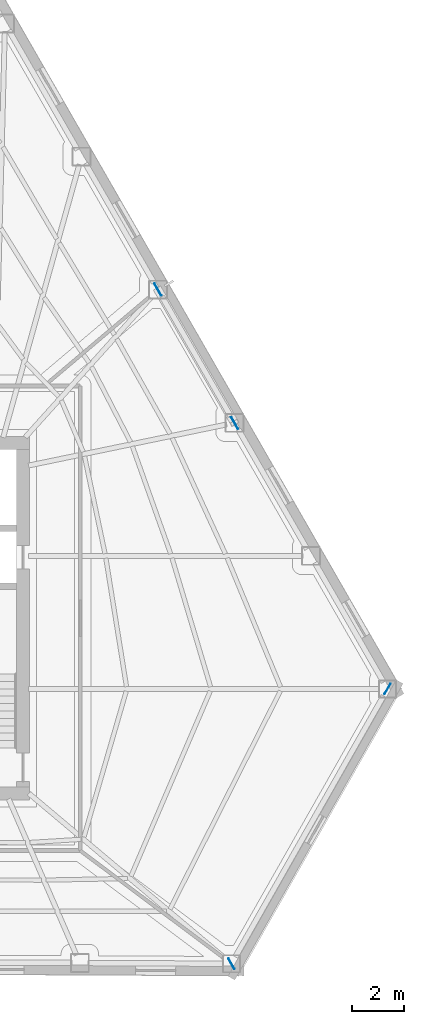
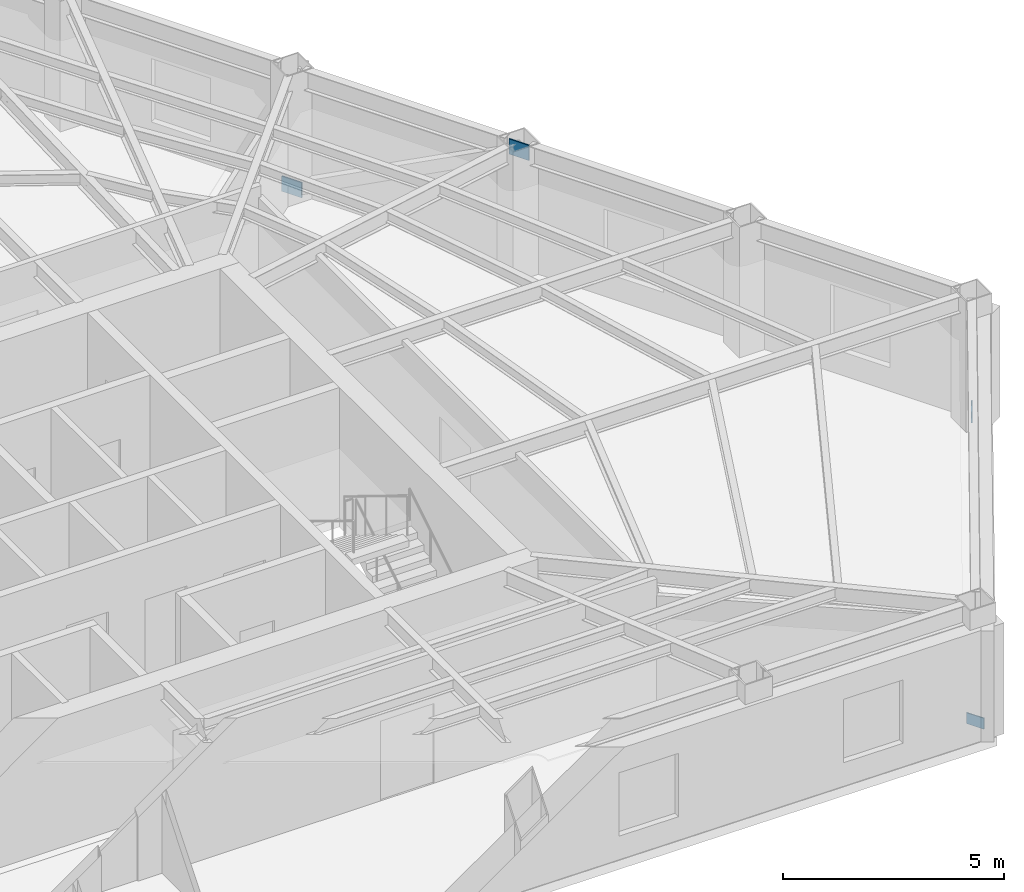
# One storey, part 5 of 12: 4 plates.
"""IFC4 building model written with IfcOpenShell, lengths in metres."""

from ifc_helpers import new_model, si_unit, direction, frame, origin, origin_2d, place, context, subcontext, project, spatial, rectangle, extrude, material, layer, layer_set, type_object, element, save


model = new_model("IFC4")

# Units and contexts
model_context = context("Model", 3, precision=1e-05, world=origin(), true_north=direction((0.0, 1.0)))
body_context = subcontext(model_context, "Body", "Model", "MODEL_VIEW")
ifc_project = project(units=[si_unit("LENGTHUNIT", "METRE"), si_unit("AREAUNIT", "SQUARE_METRE"), si_unit("VOLUMEUNIT", "CUBIC_METRE"), si_unit("PLANEANGLEUNIT", "RADIAN"), si_unit("MASSUNIT", "GRAM", prefix="KILO")], contexts=[model_context])

# Site, building, storey
site_placement = place(None, origin())
site = spatial("IfcSite", under=ifc_project, at=site_placement, CompositionType="ELEMENT")
building_placement = place(site_placement, origin())
building = spatial("IfcBuilding", under=site, at=building_placement, Name="Kavelnor Concourse Tower", CompositionType="ELEMENT")
storey_placement = place(building_placement, frame((0.0, 0.0, 104.75)))
storey = spatial("IfcBuildingStorey", under=building, at=storey_placement, Name="L26", CompositionType="ELEMENT", Elevation=104.75)

# Plates
ifc_material = material(Name="Steel Grade 350", Category="steel")
ifc_layer_1 = layer(ifc_material, 0.028076171875, Name="Steel Grade 350")
ifc_layer_set_1 = layer_set([ifc_layer_1], Name="Steel Grade 350")
plate_type_1 = type_object("IfcPlateType", Name="PL-GUSSET-FOLD", PredefinedType="USERDEFINED", material=ifc_layer_set_1)
for number, where, z_axis, x_axis, name in (
    (1, (55.797119140625, 2.784912109375, 0.10009765625), (0.0, 0.0, 1.0), (-0.5, 0.866025403784, 0.0), "L26 Herringbone Corner-Fold Kink Gusset Plate F1-B6"),
    (2, (61.810791015625, 13.372802734375, 0.10009765625), (0.0, 0.0, 1.0), (-0.5, -0.866025403784, 0.0), "L26 Herringbone Corner-Fold Kink Gusset Plate F2-B0"),
):
    element("IfcPlate", number, at=place(storey_placement, frame(where, z_axis=z_axis, x_axis=x_axis)), inside=storey, type_object=plate_type_1, Name=name, ObjectType="GUSSET_PLATE", PredefinedType="USERDEFINED", context=body_context, shape_type="SweptSolid", body=[
        extrude(rectangle(XDim=0.4599609375, YDim=0.028076171875, at=origin_2d()), origin(), (0.0, 0.0, 1.0), 0.300048828125),
    ])
ifc_layer_2 = layer(ifc_material, 0.031982421875, Name="Steel Grade 350")
ifc_layer_set_2 = layer_set([ifc_layer_2], Name="Steel Grade 350")
plate_type_2 = type_object("IfcPlateType", Name="PL-GUSSET-TUBE-Z1", PredefinedType="USERDEFINED", material=ifc_layer_set_2)
for number, where, z_axis, x_axis, name in (
    (3, (52.961181640625, 28.767578125, 0.010009765625), (0.0, 0.0, 1.0), (0.498336430137, -0.866983738255, 0.0), "L26 Tube Brace Gusset GP3 F2-B2 End Gusset A"),
    (4, (55.9208984375, 23.61865234375, 3.12353515625), (0.0, 0.0, 1.0), (0.498336430137, -0.866983738255, 0.0), "L26 Tube Brace Gusset GP3 F2-B2 End Gusset B"),
):
    element("IfcPlate", number, at=place(storey_placement, frame(where, z_axis=z_axis, x_axis=x_axis)), inside=storey, type_object=plate_type_2, Name=name, ObjectType="GUSSET_PLATE", PredefinedType="USERDEFINED", context=body_context, shape_type="SweptSolid", body=[
        extrude(rectangle(XDim=0.52001953125, YDim=0.031982421875, at=origin_2d()), origin(), (0.0, 0.0, 1.0), 0.419921875),
    ])

save(model, "model.ifc")
